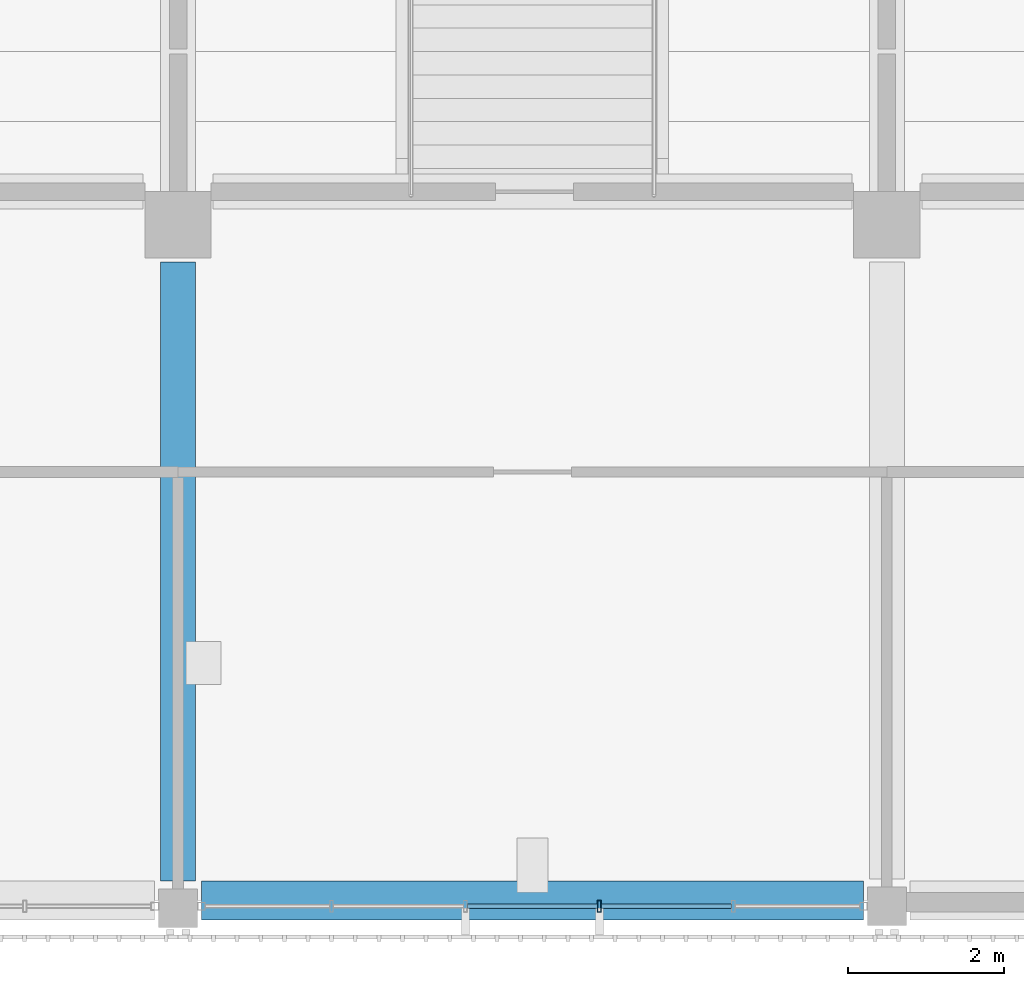
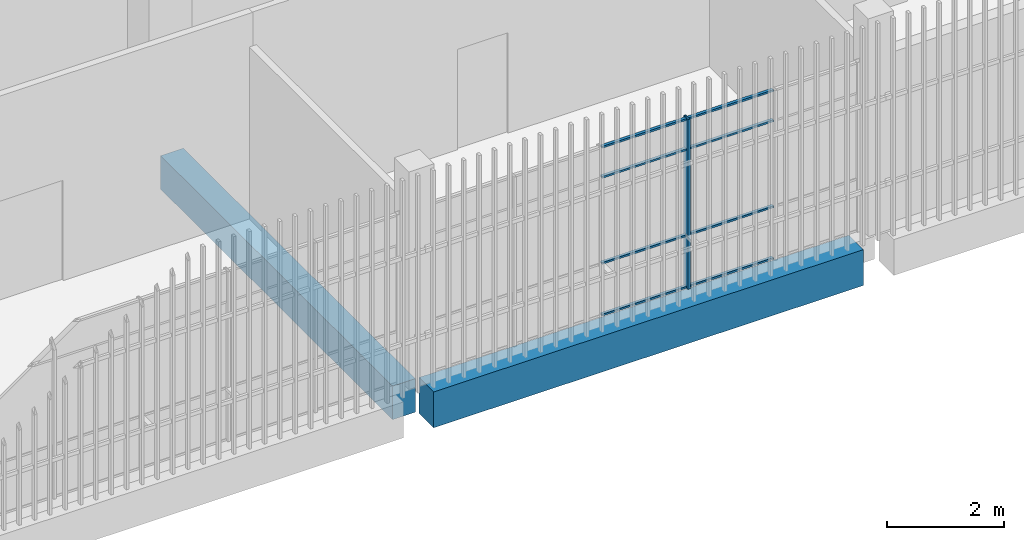
# One storey, part 23 of 139: 9 members, 2 beams, 1 element without a shape of its own.
"""IFC4 building model written with IfcOpenShell, lengths in metres."""

from ifc_helpers import new_model, si_unit, direction, frame, origin, origin_2d, place, context, subcontext, project, spatial, rectangle, hollow_rectangle, extrude, material, layer, layer_set, material_profile, profile_set, type_object, element, aggregate, save


model = new_model("IFC4")

# Units and contexts
model_context = context("Model", 3, precision=1e-05, world=origin(), true_north=direction((0.0, 1.0)))
body_context = subcontext(model_context, "Body", "Model", "MODEL_VIEW")
ifc_project = project(units=[si_unit("LENGTHUNIT", "METRE"), si_unit("AREAUNIT", "SQUARE_METRE"), si_unit("VOLUMEUNIT", "CUBIC_METRE"), si_unit("PLANEANGLEUNIT", "RADIAN"), si_unit("MASSUNIT", "GRAM", prefix="KILO")], contexts=[model_context])

# Site, building, storey
site_placement = place(None, origin())
site = spatial("IfcSite", under=ifc_project, at=site_placement, CompositionType="ELEMENT")
building_placement = place(site_placement, origin())
building = spatial("IfcBuilding", under=site, at=building_placement, Name="Shirokan Park Arena", CompositionType="ELEMENT")
storey_placement = place(building_placement, frame((0.0, 0.0, 15.469970703125)))
storey = spatial("IfcBuildingStorey", under=building, at=storey_placement, Name="L03", CompositionType="ELEMENT", Elevation=15.469970703125)

# Curtain wall, member
ifc_material_1 = material(Name="Steel and glass curtain wall", Category="steel")
ifc_layer = layer(ifc_material_1, 0.14990234375)
ifc_layer_set = layer_set([ifc_layer], Name="Steel and glass curtain wall 150 mm")
curtain_wall_type = type_object("IfcCurtainWallType", Name="Curtain wall exposed bay 150", PredefinedType="NOTDEFINED", material=ifc_layer_set)
curtain_wall_placement = place(storey_placement, origin())
curtain_wall = element("IfcCurtainWall", 1, at=curtain_wall_placement, inside=storey, type_object=curtain_wall_type, Name="Curtain wall south bay 9 L03", PredefinedType="NOTDEFINED")
ifc_material_2 = material(Name="Steel S355", Category="steel")
ifc_material_profile_1 = material_profile(ifc_material_2, hollow_rectangle(XDim=0.14990234375, YDim=0.050048828125, WallThickness=0.006103515625, at=origin_2d()), Name="RHS 150x50x6")
ifc_profile_set_1 = profile_set([ifc_material_profile_1], Name="Steel S355")
member_type_1 = type_object("IfcMemberType", Name="Mullion RHS 150x50x6", PredefinedType="MULLION", material=ifc_profile_set_1)
member_1_placement = place(storey_placement, frame((78.2099609375, -0.074951171875, 0.0), z_axis=(0.0, 0.0, 1.0), x_axis=(0.0, 1.0, 0.0)))
member_1 = element("IfcMember", 2, at=member_1_placement, type_object=member_type_1, Name="CW1 mullion 4", PredefinedType="MULLION", context=body_context, shape_type="SweptSolid", body=[
    extrude(hollow_rectangle(XDim=0.14990234375, YDim=0.050048828125, WallThickness=0.006103515625, at=origin_2d()), origin(), (0.0, 0.0, 1.0), 3.550048828125),
])

# Beams
ifc_material_3 = material(Name="Concrete C35", Category="concrete")
ifc_material_profile_2 = material_profile(ifc_material_3, rectangle(XDim=0.449951171875, YDim=0.699951171875, at=origin_2d()), Name="450x700")
ifc_profile_set_2 = profile_set([ifc_material_profile_2], Name="Concrete C35")
beam_type_1 = type_object("IfcBeamType", Name="RC girder 450x700", PredefinedType="BEAM", material=ifc_profile_set_2)
beam_1_placement = place(storey_placement, frame((72.800048828125, 0.25, -0.64990234375), z_axis=(0.0, 1.0, 0.0), x_axis=(-1.0, 0.0, 0.0)))
element("IfcBeam", 3, at=beam_1_placement, inside=storey, type_object=beam_type_1, Name="Girder 9A-9B L03", PredefinedType="BEAM", context=body_context, shape_type="SweptSolid", body=[
    extrude(rectangle(XDim=0.449951171875, YDim=0.699951171875, at=origin_2d()), origin(), (0.0, 0.0, 1.0), 7.949951171875),
])
ifc_material_profile_3 = material_profile(ifc_material_3, rectangle(XDim=0.5, YDim=0.75, at=origin_2d()), Name="500x750")
ifc_profile_set_3 = profile_set([ifc_material_profile_3], Name="Concrete C35")
beam_type_2 = type_object("IfcBeamType", Name="RC girder 500x750", PredefinedType="BEAM", material=ifc_profile_set_3)
beam_2_placement = place(storey_placement, frame((73.10009765625, 0.0, -0.675048828125), z_axis=(1.0, 0.0, 0.0), x_axis=(0.0, 1.0, 0.0)))
element("IfcBeam", 4, at=beam_2_placement, inside=storey, type_object=beam_type_2, Name="Girder 9A-10A L03", PredefinedType="BEAM", context=body_context, shape_type="SweptSolid", body=[
    extrude(rectangle(XDim=0.5, YDim=0.75, at=origin_2d()), origin(), (0.0, 0.0, 1.0), 8.499755859375),
])

# Member
ifc_material_profile_4 = material_profile(ifc_material_2, hollow_rectangle(XDim=0.06005859375, YDim=0.0400390625, WallThickness=0.00390625, at=origin_2d()), Name="RHS 60x40x4")
ifc_profile_set_4 = profile_set([ifc_material_profile_4], Name="Steel S355")
member_type_2 = type_object("IfcMemberType", Name="Transom RHS 60x40x4", PredefinedType="MULLION", material=ifc_profile_set_4)
member_2_placement = place(storey_placement, frame((76.514892578125, -0.074951171875, 0.02001953125), z_axis=(1.0, 0.0, 0.0), x_axis=(0.0, 1.0, 0.0)))
member_2 = element("IfcMember", 5, at=member_2_placement, type_object=member_type_2, Name="CW1 transom 3.1", PredefinedType="MULLION", context=body_context, shape_type="SweptSolid", body=[
    extrude(hollow_rectangle(XDim=0.06005859375, YDim=0.0400390625, WallThickness=0.00390625, at=origin_2d()), origin(), (0.0, 0.0, 1.0), 1.670166015625),
])

member_3_placement = place(storey_placement, frame((76.514892578125, -0.074951171875, 1.10009765625), z_axis=(1.0, 0.0, 0.0), x_axis=(0.0, 1.0, 0.0)))
member_3 = element("IfcMember", 6, at=member_3_placement, type_object=member_type_2, Name="CW1 transom 3.2", PredefinedType="MULLION", context=body_context, shape_type="SweptSolid", body=[
    extrude(hollow_rectangle(XDim=0.06005859375, YDim=0.0400390625, WallThickness=0.00390625, at=origin_2d()), origin(), (0.0, 0.0, 1.0), 1.670166015625),
])

member_4_placement = place(storey_placement, frame((76.514892578125, -0.074951171875, 2.900146484375), z_axis=(1.0, 0.0, 0.0), x_axis=(0.0, 1.0, 0.0)))
member_4 = element("IfcMember", 7, at=member_4_placement, type_object=member_type_2, Name="CW1 transom 3.3", PredefinedType="MULLION", context=body_context, shape_type="SweptSolid", body=[
    extrude(hollow_rectangle(XDim=0.06005859375, YDim=0.0400390625, WallThickness=0.00390625, at=origin_2d()), origin(), (0.0, 0.0, 1.0), 1.670166015625),
])

member_5_placement = place(storey_placement, frame((76.514892578125, -0.074951171875, 3.530029296875), z_axis=(1.0, 0.0, 0.0), x_axis=(0.0, 1.0, 0.0)))
member_5 = element("IfcMember", 8, at=member_5_placement, type_object=member_type_2, Name="CW1 transom 3.4", PredefinedType="MULLION", context=body_context, shape_type="SweptSolid", body=[
    extrude(hollow_rectangle(XDim=0.06005859375, YDim=0.0400390625, WallThickness=0.00390625, at=origin_2d()), origin(), (0.0, 0.0, 1.0), 1.670166015625),
])

member_6_placement = place(storey_placement, frame((78.235107421875, -0.074951171875, 0.02001953125), z_axis=(1.0, 0.0, 0.0), x_axis=(0.0, 1.0, 0.0)))
member_6 = element("IfcMember", 9, at=member_6_placement, type_object=member_type_2, Name="CW1 transom 4.1", PredefinedType="MULLION", context=body_context, shape_type="SweptSolid", body=[
    extrude(hollow_rectangle(XDim=0.06005859375, YDim=0.0400390625, WallThickness=0.00390625, at=origin_2d()), origin(), (0.0, 0.0, 1.0), 1.669921875),
])

member_7_placement = place(storey_placement, frame((78.235107421875, -0.074951171875, 1.10009765625), z_axis=(1.0, 0.0, 0.0), x_axis=(0.0, 1.0, 0.0)))
member_7 = element("IfcMember", 10, at=member_7_placement, type_object=member_type_2, Name="CW1 transom 4.2", PredefinedType="MULLION", context=body_context, shape_type="SweptSolid", body=[
    extrude(hollow_rectangle(XDim=0.06005859375, YDim=0.0400390625, WallThickness=0.00390625, at=origin_2d()), origin(), (0.0, 0.0, 1.0), 1.669921875),
])

member_8_placement = place(storey_placement, frame((78.235107421875, -0.074951171875, 2.900146484375), z_axis=(1.0, 0.0, 0.0), x_axis=(0.0, 1.0, 0.0)))
member_8 = element("IfcMember", 11, at=member_8_placement, type_object=member_type_2, Name="CW1 transom 4.3", PredefinedType="MULLION", context=body_context, shape_type="SweptSolid", body=[
    extrude(hollow_rectangle(XDim=0.06005859375, YDim=0.0400390625, WallThickness=0.00390625, at=origin_2d()), origin(), (0.0, 0.0, 1.0), 1.669921875),
])

member_9_placement = place(storey_placement, frame((78.235107421875, -0.074951171875, 3.530029296875), z_axis=(1.0, 0.0, 0.0), x_axis=(0.0, 1.0, 0.0)))
member_9 = element("IfcMember", 12, at=member_9_placement, type_object=member_type_2, Name="CW1 transom 4.4", PredefinedType="MULLION", context=body_context, shape_type="SweptSolid", body=[
    extrude(hollow_rectangle(XDim=0.06005859375, YDim=0.0400390625, WallThickness=0.00390625, at=origin_2d()), origin(), (0.0, 0.0, 1.0), 1.669921875),
])

aggregate(curtain_wall, [member_1, member_2, member_3, member_4, member_5, member_6, member_7, member_8, member_9])

save(model, "model.ifc")
